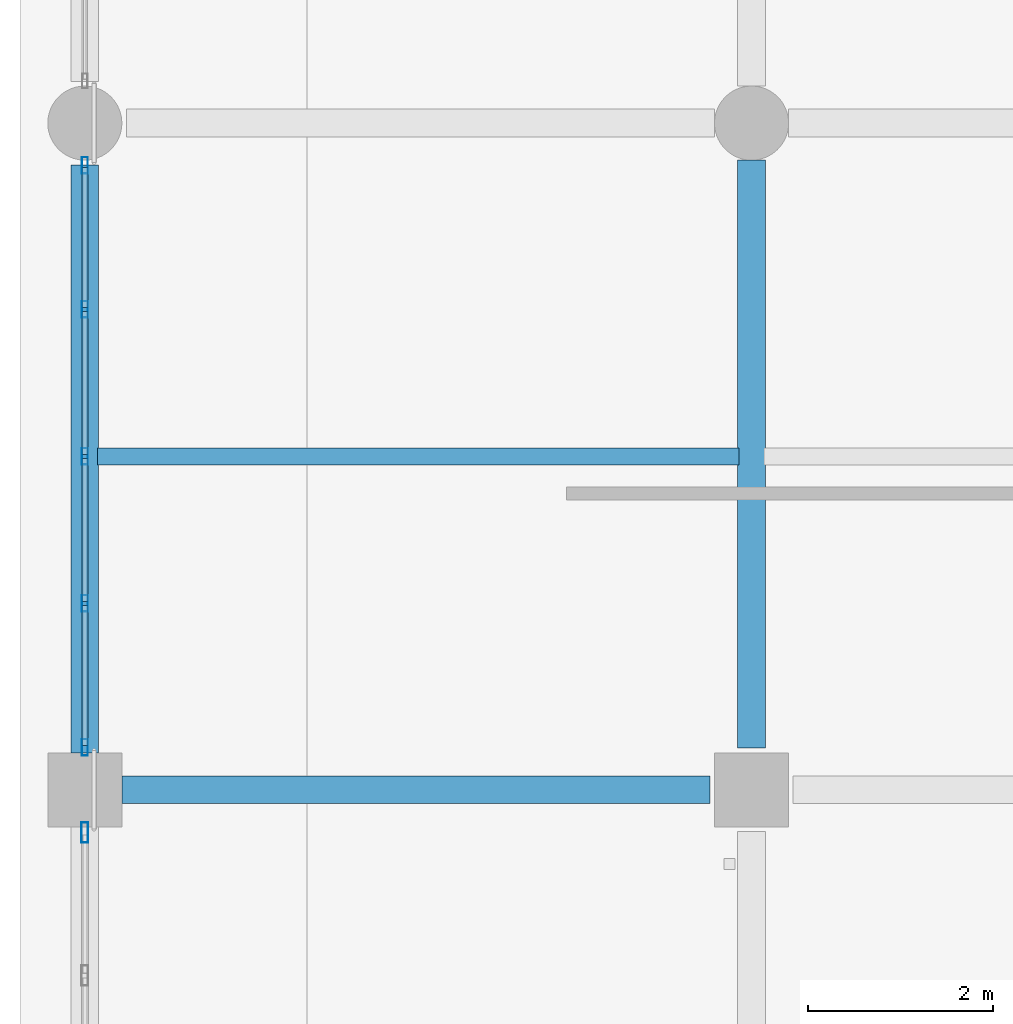
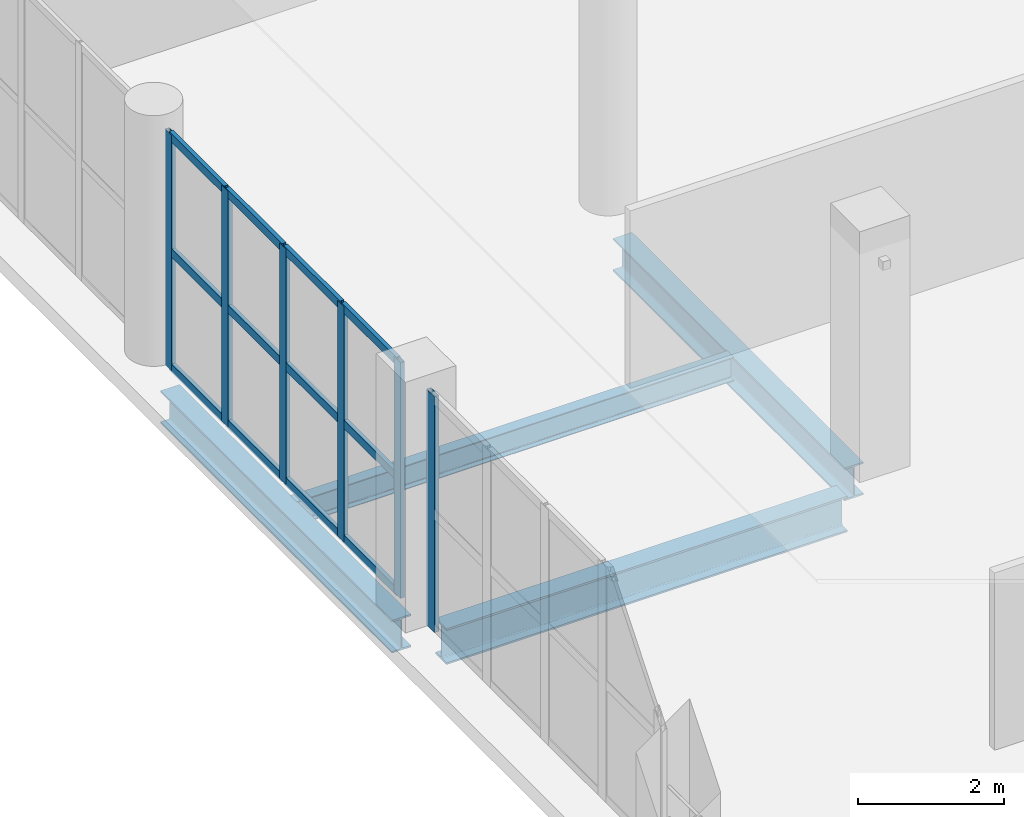
# One storey, part 41 of 153: 18 members, 4 beams, 2 elements without a shape of their own.
"""IFC4 building model written with IfcOpenShell, lengths in metres."""

from ifc_helpers import new_model, si_unit, direction, frame, origin, origin_2d, place, context, subcontext, project, spatial, hollow_rectangle, i_section, extrude, material, material_profile, profile_set, type_object, element, aggregate, save


model = new_model("IFC4")

# Units and contexts
model_context = context("Model", 3, precision=1e-05, world=origin(), true_north=direction((0.0, 1.0)))
body_context = subcontext(model_context, "Body", "Model", "MODEL_VIEW")
ifc_project = project(units=[si_unit("LENGTHUNIT", "METRE"), si_unit("AREAUNIT", "SQUARE_METRE"), si_unit("VOLUMEUNIT", "CUBIC_METRE"), si_unit("PLANEANGLEUNIT", "RADIAN"), si_unit("MASSUNIT", "GRAM", prefix="KILO")], contexts=[model_context])

# Site, building, storey
site_placement = place(None, origin())
site = spatial("IfcSite", under=ifc_project, at=site_placement, CompositionType="ELEMENT")
building_placement = place(site_placement, origin())
building = spatial("IfcBuilding", under=site, at=building_placement, Name="Qandorah Velis Arena", CompositionType="ELEMENT")
storey_placement = place(building_placement, frame((0.0, 0.0, 5.39990234375)))
storey = spatial("IfcBuildingStorey", under=building, at=storey_placement, Name="L01", CompositionType="ELEMENT", Elevation=5.39990234375)

# Curtain wall, members
ifc_material_1 = material(Name="Solar-control low-E double glazing", Category="glass")
curtain_wall_type_1 = type_object("IfcCurtainWallType", Name="ARC-CW-SYS06", PredefinedType="USERDEFINED", material=ifc_material_1)
curtain_wall_1_placement = place(storey_placement, origin())
curtain_wall_1 = element("IfcCurtainWall", 1, at=curtain_wall_1_placement, inside=storey, type_object=curtain_wall_type_1, Name="Unitised curtain wall L01-006", ObjectType="UNITISED CURTAIN WALL", PredefinedType="USERDEFINED")
ifc_material_2 = material(Name="Champagne-bronze anodized aluminium 6063-T6", Category="aluminium")
ifc_material_profile_1 = material_profile(ifc_material_2, hollow_rectangle(XDim=0.06494140625, YDim=0.179931640625, WallThickness=0.00341796875, at=origin_2d()), Name="ALU MULLION 65x180")
ifc_profile_set_1 = profile_set([ifc_material_profile_1], Name="Champagne-bronze anodized aluminium 6063-T6")
member_type_1 = type_object("IfcMemberType", Name="ARC-CWM-180", PredefinedType="MULLION", material=ifc_profile_set_1)
member_1_placement = place(storey_placement, frame((0.0, 65.257568359375, -0.014892578125), z_axis=(0.0, 0.0, 1.0), x_axis=(-1.0, 0.0, 0.0)))
member_1 = element("IfcMember", 2, at=member_1_placement, type_object=member_type_1, Name="CW06 mullion 1", PredefinedType="MULLION", context=body_context, shape_type="SweptSolid", body=[
    extrude(hollow_rectangle(XDim=0.06494140625, YDim=0.179931640625, WallThickness=0.00341796875, at=origin_2d()), origin(), (0.0, 0.0, 1.0), 3.949951171875),
])
member_2_placement = place(storey_placement, frame((0.0, 66.8125, -0.014892578125), z_axis=(0.0, 0.0, 1.0), x_axis=(-1.0, 0.0, 0.0)))
member_2 = element("IfcMember", 3, at=member_2_placement, type_object=member_type_1, Name="CW06 mullion 2", PredefinedType="MULLION", context=body_context, shape_type="SweptSolid", body=[
    extrude(hollow_rectangle(XDim=0.06494140625, YDim=0.179931640625, WallThickness=0.00341796875, at=origin_2d()), origin(), (0.0, 0.0, 1.0), 3.949951171875),
])
member_3_placement = place(storey_placement, frame((0.0, 68.39990234375, -0.014892578125), z_axis=(0.0, 0.0, 1.0), x_axis=(-1.0, 0.0, 0.0)))
member_3 = element("IfcMember", 4, at=member_3_placement, type_object=member_type_1, Name="CW06 mullion 3", PredefinedType="MULLION", context=body_context, shape_type="SweptSolid", body=[
    extrude(hollow_rectangle(XDim=0.06494140625, YDim=0.179931640625, WallThickness=0.00341796875, at=origin_2d()), origin(), (0.0, 0.0, 1.0), 3.949951171875),
])
member_4_placement = place(storey_placement, frame((0.0, 69.987548828125, -0.014892578125), z_axis=(0.0, 0.0, 1.0), x_axis=(-1.0, 0.0, 0.0)))
member_4 = element("IfcMember", 5, at=member_4_placement, type_object=member_type_1, Name="CW06 mullion 4", PredefinedType="MULLION", context=body_context, shape_type="SweptSolid", body=[
    extrude(hollow_rectangle(XDim=0.06494140625, YDim=0.179931640625, WallThickness=0.00341796875, at=origin_2d()), origin(), (0.0, 0.0, 1.0), 3.949951171875),
])
member_5_placement = place(storey_placement, frame((0.0, 71.54248046875, -0.014892578125), z_axis=(0.0, 0.0, 1.0), x_axis=(-1.0, 0.0, 0.0)))
member_5 = element("IfcMember", 6, at=member_5_placement, type_object=member_type_1, Name="CW06 mullion 5", PredefinedType="MULLION", context=body_context, shape_type="SweptSolid", body=[
    extrude(hollow_rectangle(XDim=0.06494140625, YDim=0.179931640625, WallThickness=0.00341796875, at=origin_2d()), origin(), (0.0, 0.0, 1.0), 3.949951171875),
])

# Curtain wall, member
curtain_wall_type_2 = type_object("IfcCurtainWallType", Name="ARC-CW-SYS05", PredefinedType="USERDEFINED", material=ifc_material_1)
curtain_wall_2_placement = place(storey_placement, origin())
curtain_wall_2 = element("IfcCurtainWall", 7, at=curtain_wall_2_placement, inside=storey, type_object=curtain_wall_type_2, Name="Unitised curtain wall L01-005", ObjectType="UNITISED CURTAIN WALL", PredefinedType="USERDEFINED")
ifc_material_profile_2 = material_profile(ifc_material_2, hollow_rectangle(XDim=0.074951171875, YDim=0.219970703125, WallThickness=0.00390625, at=origin_2d()), Name="ALU MULLION 75x220")
ifc_profile_set_2 = profile_set([ifc_material_profile_2], Name="Champagne-bronze anodized aluminium 6063-T6")
member_type_2 = type_object("IfcMemberType", Name="ARC-CWM-220", PredefinedType="MULLION", material=ifc_profile_set_2)
member_6_placement = place(storey_placement, frame((0.0, 64.33740234375, -0.014892578125), z_axis=(0.0, 0.0, 1.0), x_axis=(-1.0, 0.0, 0.0)))
member_6 = element("IfcMember", 8, at=member_6_placement, type_object=member_type_2, Name="CW05 mullion 5", PredefinedType="MULLION", context=body_context, shape_type="SweptSolid", body=[
    extrude(hollow_rectangle(XDim=0.074951171875, YDim=0.219970703125, WallThickness=0.00390625, at=origin_2d()), origin(), (0.0, 0.0, 1.0), 3.949951171875),
])
aggregate(curtain_wall_2, [member_6])

# Member
ifc_material_profile_3 = material_profile(ifc_material_2, hollow_rectangle(XDim=0.06494140625, YDim=0.139892578125, WallThickness=0.0029296875, at=origin_2d()), Name="ALU TRANSOM 65x140")
ifc_profile_set_3 = profile_set([ifc_material_profile_3], Name="Champagne-bronze anodized aluminium 6063-T6")
member_type_3 = type_object("IfcMemberType", Name="ARC-CWT-140", PredefinedType="USERDEFINED", material=ifc_profile_set_3)
member_7_placement = place(storey_placement, frame((0.0, 65.278076171875, 0.03271484375), z_axis=(0.0, 1.0, 0.0), x_axis=(-1.0, 0.0, 0.0)))
member_7 = element("IfcMember", 9, at=member_7_placement, type_object=member_type_3, Name="CW06 transom 1.1", ObjectType="TRANSOM", PredefinedType="USERDEFINED", context=body_context, shape_type="SweptSolid", body=[
    extrude(hollow_rectangle(XDim=0.06494140625, YDim=0.139892578125, WallThickness=0.0029296875, at=origin_2d()), origin(), (0.0, 0.0, 1.0), 1.513916015625),
])

member_8_placement = place(storey_placement, frame((0.0, 65.278076171875, 1.960205078125), z_axis=(0.0, 1.0, 0.0), x_axis=(-1.0, 0.0, 0.0)))
member_8 = element("IfcMember", 10, at=member_8_placement, type_object=member_type_3, Name="CW06 transom 1.2", ObjectType="TRANSOM", PredefinedType="USERDEFINED", context=body_context, shape_type="SweptSolid", body=[
    extrude(hollow_rectangle(XDim=0.06494140625, YDim=0.139892578125, WallThickness=0.0029296875, at=origin_2d()), origin(), (0.0, 0.0, 1.0), 1.513916015625),
])

member_9_placement = place(storey_placement, frame((0.0, 65.278076171875, 3.8876953125), z_axis=(0.0, 1.0, 0.0), x_axis=(-1.0, 0.0, 0.0)))
member_9 = element("IfcMember", 11, at=member_9_placement, type_object=member_type_3, Name="CW06 transom 1.3", ObjectType="TRANSOM", PredefinedType="USERDEFINED", context=body_context, shape_type="SweptSolid", body=[
    extrude(hollow_rectangle(XDim=0.06494140625, YDim=0.139892578125, WallThickness=0.0029296875, at=origin_2d()), origin(), (0.0, 0.0, 1.0), 1.513916015625),
])

member_10_placement = place(storey_placement, frame((0.0, 66.8330078125, 0.03271484375), z_axis=(0.0, 1.0, 0.0), x_axis=(-1.0, 0.0, 0.0)))
member_10 = element("IfcMember", 12, at=member_10_placement, type_object=member_type_3, Name="CW06 transom 2.1", ObjectType="TRANSOM", PredefinedType="USERDEFINED", context=body_context, shape_type="SweptSolid", body=[
    extrude(hollow_rectangle(XDim=0.06494140625, YDim=0.139892578125, WallThickness=0.0029296875, at=origin_2d()), origin(), (0.0, 0.0, 1.0), 1.54638671875),
])

member_11_placement = place(storey_placement, frame((0.0, 66.8330078125, 1.960205078125), z_axis=(0.0, 1.0, 0.0), x_axis=(-1.0, 0.0, 0.0)))
member_11 = element("IfcMember", 13, at=member_11_placement, type_object=member_type_3, Name="CW06 transom 2.2", ObjectType="TRANSOM", PredefinedType="USERDEFINED", context=body_context, shape_type="SweptSolid", body=[
    extrude(hollow_rectangle(XDim=0.06494140625, YDim=0.139892578125, WallThickness=0.0029296875, at=origin_2d()), origin(), (0.0, 0.0, 1.0), 1.54638671875),
])

member_12_placement = place(storey_placement, frame((0.0, 66.8330078125, 3.8876953125), z_axis=(0.0, 1.0, 0.0), x_axis=(-1.0, 0.0, 0.0)))
member_12 = element("IfcMember", 14, at=member_12_placement, type_object=member_type_3, Name="CW06 transom 2.3", ObjectType="TRANSOM", PredefinedType="USERDEFINED", context=body_context, shape_type="SweptSolid", body=[
    extrude(hollow_rectangle(XDim=0.06494140625, YDim=0.139892578125, WallThickness=0.0029296875, at=origin_2d()), origin(), (0.0, 0.0, 1.0), 1.54638671875),
])

member_13_placement = place(storey_placement, frame((0.0, 68.42041015625, 0.03271484375), z_axis=(0.0, 1.0, 0.0), x_axis=(-1.0, 0.0, 0.0)))
member_13 = element("IfcMember", 15, at=member_13_placement, type_object=member_type_3, Name="CW06 transom 3.1", ObjectType="TRANSOM", PredefinedType="USERDEFINED", context=body_context, shape_type="SweptSolid", body=[
    extrude(hollow_rectangle(XDim=0.06494140625, YDim=0.139892578125, WallThickness=0.0029296875, at=origin_2d()), origin(), (0.0, 0.0, 1.0), 1.546630859375),
])

member_14_placement = place(storey_placement, frame((0.0, 68.42041015625, 1.960205078125), z_axis=(0.0, 1.0, 0.0), x_axis=(-1.0, 0.0, 0.0)))
member_14 = element("IfcMember", 16, at=member_14_placement, type_object=member_type_3, Name="CW06 transom 3.2", ObjectType="TRANSOM", PredefinedType="USERDEFINED", context=body_context, shape_type="SweptSolid", body=[
    extrude(hollow_rectangle(XDim=0.06494140625, YDim=0.139892578125, WallThickness=0.0029296875, at=origin_2d()), origin(), (0.0, 0.0, 1.0), 1.546630859375),
])

member_15_placement = place(storey_placement, frame((0.0, 68.42041015625, 3.8876953125), z_axis=(0.0, 1.0, 0.0), x_axis=(-1.0, 0.0, 0.0)))
member_15 = element("IfcMember", 17, at=member_15_placement, type_object=member_type_3, Name="CW06 transom 3.3", ObjectType="TRANSOM", PredefinedType="USERDEFINED", context=body_context, shape_type="SweptSolid", body=[
    extrude(hollow_rectangle(XDim=0.06494140625, YDim=0.139892578125, WallThickness=0.0029296875, at=origin_2d()), origin(), (0.0, 0.0, 1.0), 1.546630859375),
])

member_16_placement = place(storey_placement, frame((0.0, 70.008056640625, 0.03271484375), z_axis=(0.0, 1.0, 0.0), x_axis=(-1.0, 0.0, 0.0)))
member_16 = element("IfcMember", 18, at=member_16_placement, type_object=member_type_3, Name="CW06 transom 4.1", ObjectType="TRANSOM", PredefinedType="USERDEFINED", context=body_context, shape_type="SweptSolid", body=[
    extrude(hollow_rectangle(XDim=0.06494140625, YDim=0.139892578125, WallThickness=0.0029296875, at=origin_2d()), origin(), (0.0, 0.0, 1.0), 1.513916015625),
])

member_17_placement = place(storey_placement, frame((0.0, 70.008056640625, 1.960205078125), z_axis=(0.0, 1.0, 0.0), x_axis=(-1.0, 0.0, 0.0)))
member_17 = element("IfcMember", 19, at=member_17_placement, type_object=member_type_3, Name="CW06 transom 4.2", ObjectType="TRANSOM", PredefinedType="USERDEFINED", context=body_context, shape_type="SweptSolid", body=[
    extrude(hollow_rectangle(XDim=0.06494140625, YDim=0.139892578125, WallThickness=0.0029296875, at=origin_2d()), origin(), (0.0, 0.0, 1.0), 1.513916015625),
])

member_18_placement = place(storey_placement, frame((0.0, 70.008056640625, 3.8876953125), z_axis=(0.0, 1.0, 0.0), x_axis=(-1.0, 0.0, 0.0)))
member_18 = element("IfcMember", 20, at=member_18_placement, type_object=member_type_3, Name="CW06 transom 4.3", ObjectType="TRANSOM", PredefinedType="USERDEFINED", context=body_context, shape_type="SweptSolid", body=[
    extrude(hollow_rectangle(XDim=0.06494140625, YDim=0.139892578125, WallThickness=0.0029296875, at=origin_2d()), origin(), (0.0, 0.0, 1.0), 1.513916015625),
])

aggregate(curtain_wall_1, [member_1, member_2, member_3, member_4, member_5, member_7, member_8, member_9, member_10, member_11, member_12, member_13, member_14, member_15, member_16, member_17, member_18])

# Beams
ifc_material_3 = material(Name="Steel S355", Category="steel")
ifc_material_profile_4 = material_profile(ifc_material_3, i_section(OverallWidth=0.300048828125, OverallDepth=0.550048828125, WebThickness=0.014892578125, FlangeThickness=0.029052734375, FilletRadius=0.027099609375, at=origin_2d()), Name="HEB 550")
ifc_profile_set_4 = profile_set([ifc_material_profile_4], Name="Steel S355")
beam_type_1 = type_object("IfcBeamType", Name="STR-BM-HEB550", PredefinedType="BEAM", material=ifc_profile_set_4)
for number, where, z_axis, x_axis, name in (
    (21, (0.0, 65.199951171875, -0.635009765625), (0.0, 1.0, 0.0), (-1.0, 0.0, 0.0), "Primary floor girder L01 Y-229"),
    (22, (7.199951171875, 65.25, -0.635009765625), (0.0, 1.0, 0.0), (-1.0, 0.0, 0.0), "Primary floor girder L01 Y-247"),
):
    element("IfcBeam", number, at=place(storey_placement, frame(where, z_axis=z_axis, x_axis=x_axis)), inside=storey, type_object=beam_type_1, Name=name, PredefinedType="BEAM", context=body_context, shape_type="SweptSolid", body=[
        extrude(i_section(OverallWidth=0.300048828125, OverallDepth=0.550048828125, WebThickness=0.014892578125, FlangeThickness=0.029052734375, FilletRadius=0.027099609375, at=origin_2d()), origin(), (0.0, 0.0, 1.0), 6.35009765625),
    ])
ifc_material_profile_5 = material_profile(ifc_material_3, i_section(OverallWidth=0.300048828125, OverallDepth=0.60009765625, WebThickness=0.015380859375, FlangeThickness=0.030029296875, FilletRadius=0.027099609375, at=origin_2d()), Name="HEB 600")
ifc_profile_set_5 = profile_set([ifc_material_profile_5], Name="Steel S355")
beam_type_2 = type_object("IfcBeamType", Name="STR-BM-HEB600", PredefinedType="BEAM", material=ifc_profile_set_5)
beam_1_placement = place(storey_placement, frame((0.39990234375, 64.800048828125, -0.659912109375), z_axis=(1.0, 0.0, 0.0), x_axis=(0.0, 1.0, 0.0)))
element("IfcBeam", 23, at=beam_1_placement, inside=storey, type_object=beam_type_2, Name="Primary floor girder L01 X-109", PredefinedType="BEAM", context=body_context, shape_type="SweptSolid", body=[
    extrude(i_section(OverallWidth=0.300048828125, OverallDepth=0.60009765625, WebThickness=0.015380859375, FlangeThickness=0.030029296875, FilletRadius=0.027099609375, at=origin_2d()), origin(), (0.0, 0.0, 1.0), 6.35009765625),
])
ifc_material_profile_6 = material_profile(ifc_material_3, i_section(OverallWidth=0.179931640625, OverallDepth=0.39990234375, WebThickness=0.008544921875, FlangeThickness=0.013427734375, FilletRadius=0.02099609375, at=origin_2d()), Name="IPE 400")
ifc_profile_set_6 = profile_set([ifc_material_profile_6], Name="Steel S355")
beam_type_3 = type_object("IfcBeamType", Name="STR-JST-IPE400", PredefinedType="JOIST", material=ifc_profile_set_6)
beam_2_placement = place(storey_placement, frame((0.135009765625, 68.39990234375, -0.559814453125), z_axis=(1.0, 0.0, 0.0), x_axis=(0.0, 1.0, 0.0)))
element("IfcBeam", 24, at=beam_2_placement, inside=storey, type_object=beam_type_3, Name="Secondary floor joist L01-008", PredefinedType="JOIST", context=body_context, shape_type="SweptSolid", body=[
    extrude(i_section(OverallWidth=0.179931640625, OverallDepth=0.39990234375, WebThickness=0.008544921875, FlangeThickness=0.013427734375, FilletRadius=0.02099609375, at=origin_2d()), origin(), (0.0, 0.0, 1.0), 6.929931640625),
])

save(model, "model.ifc")
